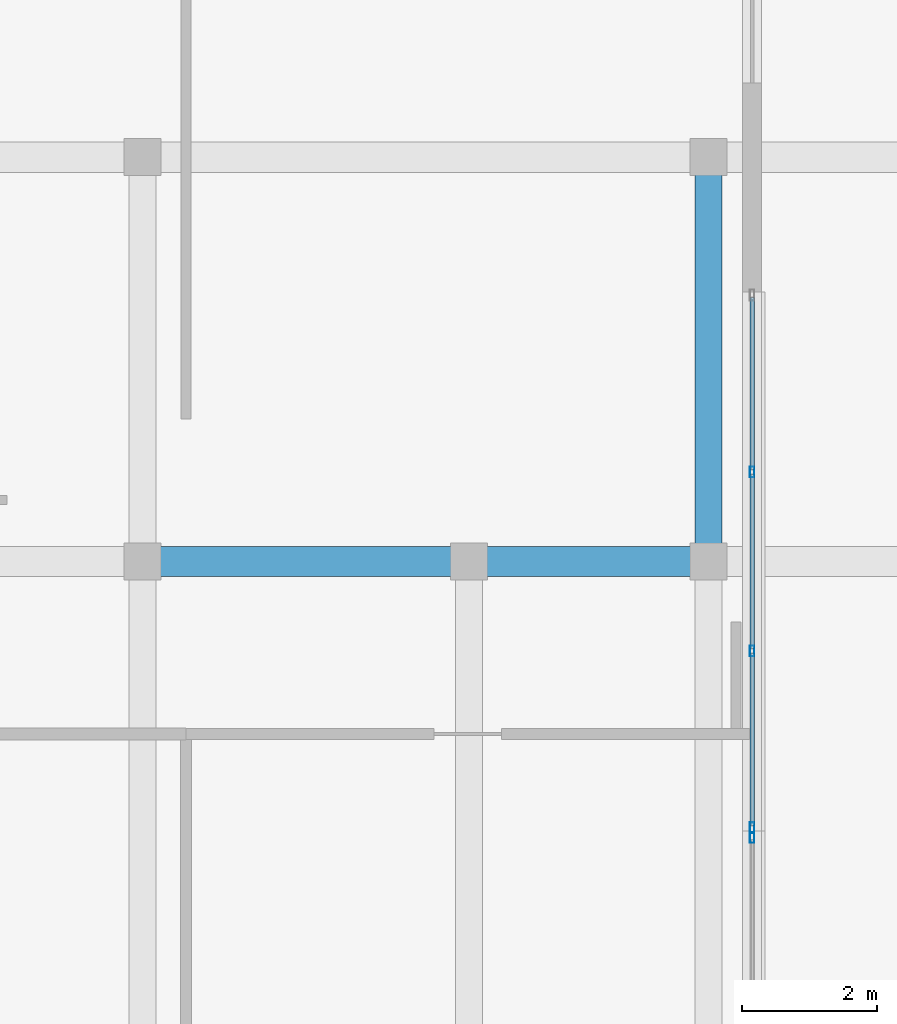
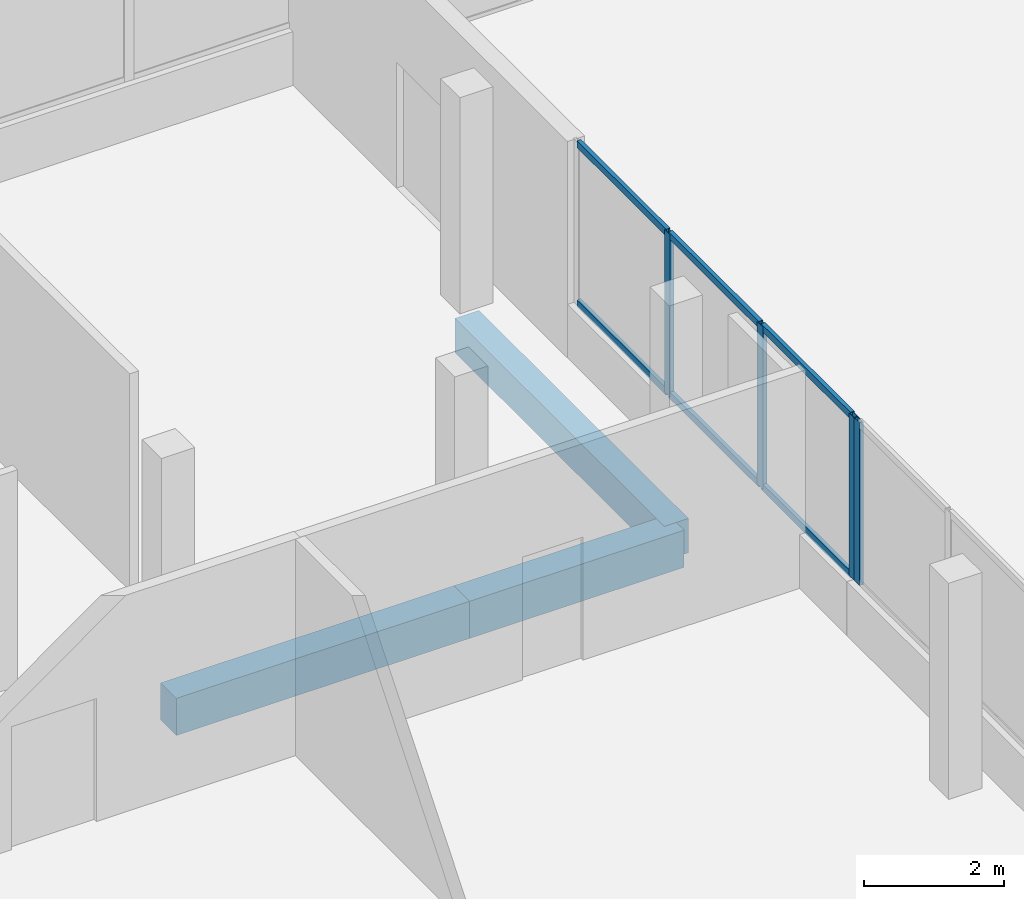
# One storey, part 45 of 66: 10 members, 3 beams, 2 elements without a shape of their own.
"""IFC4 building model written with IfcOpenShell, lengths in metres."""

from ifc_helpers import new_model, si_unit, direction, frame, origin, origin_2d, place, context, subcontext, project, spatial, rectangle, hollow_rectangle, extrude, material, material_profile, profile_set, type_object, element, aggregate, save


model = new_model("IFC4")

# Units and contexts
model_context = context("Model", 3, precision=1e-05, world=origin(), true_north=direction((0.0, 1.0)))
body_context = subcontext(model_context, "Body", "Model", "MODEL_VIEW")
ifc_project = project(units=[si_unit("LENGTHUNIT", "METRE"), si_unit("AREAUNIT", "SQUARE_METRE"), si_unit("VOLUMEUNIT", "CUBIC_METRE"), si_unit("PLANEANGLEUNIT", "RADIAN"), si_unit("MASSUNIT", "GRAM", prefix="KILO")], contexts=[model_context])

# Site, building, storey
site_placement = place(None, origin())
site = spatial("IfcSite", under=ifc_project, at=site_placement, CompositionType="ELEMENT")
building_placement = place(site_placement, origin())
building = spatial("IfcBuilding", under=site, at=building_placement, Name="Selatvlak General Hospital", CompositionType="ELEMENT")
storey_placement = place(building_placement, frame((0.0, 0.0, 31.35009765625)))
storey = spatial("IfcBuildingStorey", under=building, at=storey_placement, Name="L07", CompositionType="ELEMENT", Elevation=31.35009765625)

# Beams
ifc_material_1 = material(Name="Concrete C40/50", Category="concrete")
ifc_material_profile_1 = material_profile(ifc_material_1, rectangle(XDim=0.449951171875, YDim=0.64990234375, at=origin_2d()), Name="RC-BM 450x650")
ifc_profile_set_1 = profile_set([ifc_material_profile_1], Name="Concrete C40/50")
beam_type_1 = type_object("IfcBeamType", Name="BM-G04", PredefinedType="BEAM", material=ifc_profile_set_1)
beam_1_placement = place(storey_placement, frame((156.550048828125, 108.0, -0.59521484375), z_axis=(1.0, 0.0, 0.0), x_axis=(0.0, 1.0, 0.0)))
element("IfcBeam", 1, at=beam_1_placement, inside=storey, type_object=beam_type_1, Name="Beam BMR-L07-2433", PredefinedType="BEAM", context=body_context, shape_type="SweptSolid", body=[
    extrude(rectangle(XDim=0.449951171875, YDim=0.64990234375, at=origin_2d()), origin(), (0.0, 0.0, 1.0), 4.849853515625),
])
beam_2_placement = place(storey_placement, frame((161.39990234375, 108.0, -0.59521484375), z_axis=(1.0, 0.0, 0.0), x_axis=(0.0, 1.0, 0.0)))
element("IfcBeam", 2, at=beam_2_placement, inside=storey, type_object=beam_type_1, Name="Beam BMR-L07-2434", PredefinedType="BEAM", context=body_context, shape_type="SweptSolid", body=[
    extrude(rectangle(XDim=0.449951171875, YDim=0.64990234375, at=origin_2d()), origin(), (0.0, 0.0, 1.0), 3.550048828125),
])
ifc_material_profile_2 = material_profile(ifc_material_1, rectangle(XDim=0.39990234375, YDim=0.60009765625, at=origin_2d()), Name="RC-BM 400x600")
ifc_profile_set_2 = profile_set([ifc_material_profile_2], Name="Concrete C40/50")
beam_type_2 = type_object("IfcBeamType", Name="BM-G05", PredefinedType="BEAM", material=ifc_profile_set_2)
beam_3_placement = place(storey_placement, frame((164.949951171875, 108.0, -0.570068359375), z_axis=(0.0, 1.0, 0.0), x_axis=(-1.0, 0.0, 0.0)))
element("IfcBeam", 3, at=beam_3_placement, inside=storey, type_object=beam_type_2, Name="Beam BMR-L07-2539", PredefinedType="BEAM", context=body_context, shape_type="SweptSolid", body=[
    extrude(rectangle(XDim=0.39990234375, YDim=0.60009765625, at=origin_2d()), origin(), (0.0, 0.0, 1.0), 6.0),
])

# Curtain wall, members
ifc_material_2 = material(Name="Solar-control Low-E double glazing", Category="glass")
curtain_wall_type_1 = type_object("IfcCurtainWallType", Name="CW-CW-02", PredefinedType="USERDEFINED", material=ifc_material_2)
curtain_wall_1_placement = place(storey_placement, origin())
curtain_wall_1 = element("IfcCurtainWall", 4, at=curtain_wall_1_placement, inside=storey, type_object=curtain_wall_type_1, Name="Glazed facade curtain wall CW-L07-0660", ObjectType="UNITISED CURTAIN WALL", PredefinedType="USERDEFINED")
ifc_material_3 = material(Name="Dark anodised aluminium mullion", Category="aluminium")
ifc_material_profile_3 = material_profile(ifc_material_3, hollow_rectangle(XDim=0.06494140625, YDim=0.159912109375, WallThickness=0.00390625, at=origin_2d()), Name="AL-MUL 65x160x4")
ifc_profile_set_3 = profile_set([ifc_material_profile_3], Name="Dark anodised aluminium mullion")
member_type_1 = type_object("IfcMemberType", Name="CWM-01", PredefinedType="MULLION", material=ifc_profile_set_3)
member_1_placement = place(storey_placement, frame((165.59912109375, 109.32861328125, 0.93994140625), z_axis=(0.0, 0.0, 1.0), x_axis=(1.0, 0.0, 0.0)))
member_1 = element("IfcMember", 5, at=member_1_placement, type_object=member_type_1, Name="CW-02 mullion 2", PredefinedType="MULLION", context=body_context, shape_type="SweptSolid", body=[
    extrude(hollow_rectangle(XDim=0.06494140625, YDim=0.159912109375, WallThickness=0.00390625, at=origin_2d()), origin(), (0.0, 0.0, 1.0), 2.844970703125),
])
member_2_placement = place(storey_placement, frame((165.59912109375, 106.67236328125, 0.93994140625), z_axis=(0.0, 0.0, 1.0), x_axis=(1.0, 0.0, 0.0)))
member_2 = element("IfcMember", 6, at=member_2_placement, type_object=member_type_1, Name="CW-02 mullion 3", PredefinedType="MULLION", context=body_context, shape_type="SweptSolid", body=[
    extrude(hollow_rectangle(XDim=0.06494140625, YDim=0.159912109375, WallThickness=0.00390625, at=origin_2d()), origin(), (0.0, 0.0, 1.0), 2.844970703125),
])
member_3_placement = place(storey_placement, frame((165.59912109375, 104.048583984375, 0.93994140625), z_axis=(0.0, 0.0, 1.0), x_axis=(1.0, 0.0, 0.0)))
member_3 = element("IfcMember", 7, at=member_3_placement, type_object=member_type_1, Name="CW-02 mullion 4", PredefinedType="MULLION", context=body_context, shape_type="SweptSolid", body=[
    extrude(hollow_rectangle(XDim=0.06494140625, YDim=0.159912109375, WallThickness=0.00390625, at=origin_2d()), origin(), (0.0, 0.0, 1.0), 2.844970703125),
])

# Curtain wall, member
curtain_wall_type_2 = type_object("IfcCurtainWallType", Name="CW-CW-01", PredefinedType="USERDEFINED", material=ifc_material_2)
curtain_wall_2_placement = place(storey_placement, origin())
curtain_wall_2 = element("IfcCurtainWall", 8, at=curtain_wall_2_placement, inside=storey, type_object=curtain_wall_type_2, Name="Glazed facade curtain wall CW-L07-0661", ObjectType="UNITISED CURTAIN WALL", PredefinedType="USERDEFINED")
member_4_placement = place(storey_placement, frame((165.59912109375, 103.903564453125, 0.93994140625), z_axis=(0.0, 0.0, 1.0), x_axis=(0.999999992029, 0.000126262633, 0.0)))
member_4 = element("IfcMember", 9, at=member_4_placement, type_object=member_type_1, Name="CW-01 mullion 1", PredefinedType="MULLION", context=body_context, shape_type="SweptSolid", body=[
    extrude(hollow_rectangle(XDim=0.06494140625, YDim=0.159912109375, WallThickness=0.00390625, at=origin_2d()), origin(), (0.0, 0.0, 1.0), 2.844970703125),
])
aggregate(curtain_wall_2, [member_4])

# Member
ifc_material_profile_4 = material_profile(ifc_material_3, hollow_rectangle(XDim=0.06494140625, YDim=0.1201171875, WallThickness=0.00390625, at=origin_2d()), Name="AL-TRN 65x120x4")
ifc_profile_set_4 = profile_set([ifc_material_profile_4], Name="Dark anodised aluminium mullion")
member_type_2 = type_object("IfcMemberType", Name="CWT-01", PredefinedType="USERDEFINED", material=ifc_profile_set_4)
member_5_placement = place(storey_placement, frame((165.59912109375, 111.919921875, 0.972412109375), z_axis=(0.0, -1.0, 0.0), x_axis=(1.0, 0.0, 0.0)))
member_5 = element("IfcMember", 10, at=member_5_placement, type_object=member_type_2, Name="CW-02 transom 1.1", ObjectType="TRANSOM", PredefinedType="USERDEFINED", context=body_context, shape_type="SweptSolid", body=[
    extrude(hollow_rectangle(XDim=0.06494140625, YDim=0.1201171875, WallThickness=0.00390625, at=origin_2d()), origin(), (0.0, 0.0, 1.0), 2.558837890625),
])

member_6_placement = place(storey_placement, frame((165.59912109375, 111.919921875, 3.75244140625), z_axis=(0.0, -1.0, 0.0), x_axis=(1.0, 0.0, 0.0)))
member_6 = element("IfcMember", 11, at=member_6_placement, type_object=member_type_2, Name="CW-02 transom 1.2", ObjectType="TRANSOM", PredefinedType="USERDEFINED", context=body_context, shape_type="SweptSolid", body=[
    extrude(hollow_rectangle(XDim=0.06494140625, YDim=0.1201171875, WallThickness=0.00390625, at=origin_2d()), origin(), (0.0, 0.0, 1.0), 2.558837890625),
])

member_7_placement = place(storey_placement, frame((165.59912109375, 109.296142578125, 0.972412109375), z_axis=(0.0, -1.0, 0.0), x_axis=(1.0, 0.0, 0.0)))
member_7 = element("IfcMember", 12, at=member_7_placement, type_object=member_type_2, Name="CW-02 transom 2.1", ObjectType="TRANSOM", PredefinedType="USERDEFINED", context=body_context, shape_type="SweptSolid", body=[
    extrude(hollow_rectangle(XDim=0.06494140625, YDim=0.1201171875, WallThickness=0.00390625, at=origin_2d()), origin(), (0.0, 0.0, 1.0), 2.59130859375),
])

member_8_placement = place(storey_placement, frame((165.59912109375, 109.296142578125, 3.75244140625), z_axis=(0.0, -1.0, 0.0), x_axis=(1.0, 0.0, 0.0)))
member_8 = element("IfcMember", 13, at=member_8_placement, type_object=member_type_2, Name="CW-02 transom 2.2", ObjectType="TRANSOM", PredefinedType="USERDEFINED", context=body_context, shape_type="SweptSolid", body=[
    extrude(hollow_rectangle(XDim=0.06494140625, YDim=0.1201171875, WallThickness=0.00390625, at=origin_2d()), origin(), (0.0, 0.0, 1.0), 2.59130859375),
])

member_9_placement = place(storey_placement, frame((165.59912109375, 106.639892578125, 0.972412109375), z_axis=(0.0, -1.0, 0.0), x_axis=(1.0, 0.0, 0.0)))
member_9 = element("IfcMember", 14, at=member_9_placement, type_object=member_type_2, Name="CW-02 transom 3.1", ObjectType="TRANSOM", PredefinedType="USERDEFINED", context=body_context, shape_type="SweptSolid", body=[
    extrude(hollow_rectangle(XDim=0.06494140625, YDim=0.1201171875, WallThickness=0.00390625, at=origin_2d()), origin(), (0.0, 0.0, 1.0), 2.558837890625),
])

member_10_placement = place(storey_placement, frame((165.59912109375, 106.639892578125, 3.75244140625), z_axis=(0.0, -1.0, 0.0), x_axis=(1.0, 0.0, 0.0)))
member_10 = element("IfcMember", 15, at=member_10_placement, type_object=member_type_2, Name="CW-02 transom 3.2", ObjectType="TRANSOM", PredefinedType="USERDEFINED", context=body_context, shape_type="SweptSolid", body=[
    extrude(hollow_rectangle(XDim=0.06494140625, YDim=0.1201171875, WallThickness=0.00390625, at=origin_2d()), origin(), (0.0, 0.0, 1.0), 2.558837890625),
])

aggregate(curtain_wall_1, [member_1, member_2, member_3, member_5, member_6, member_7, member_8, member_9, member_10])

save(model, "model.ifc")
